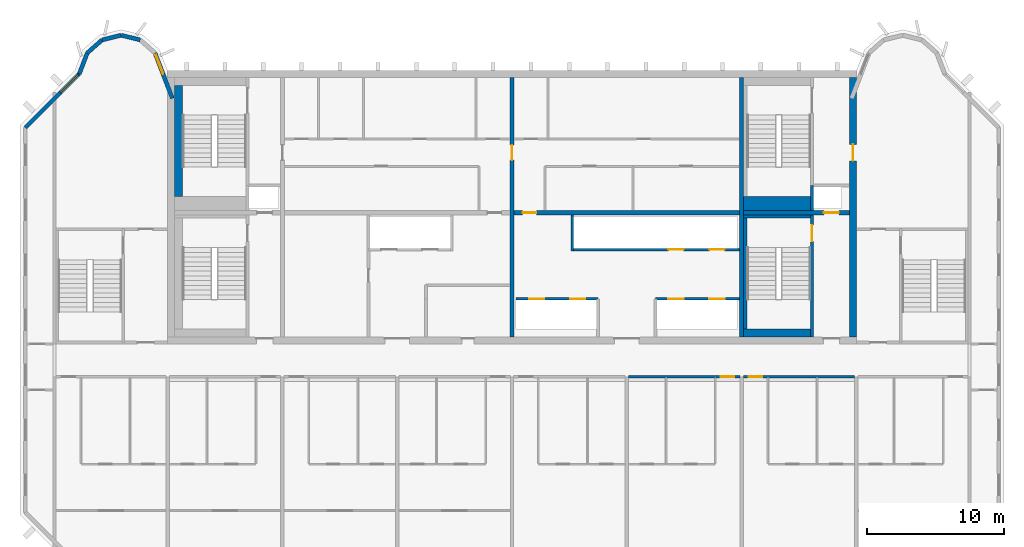
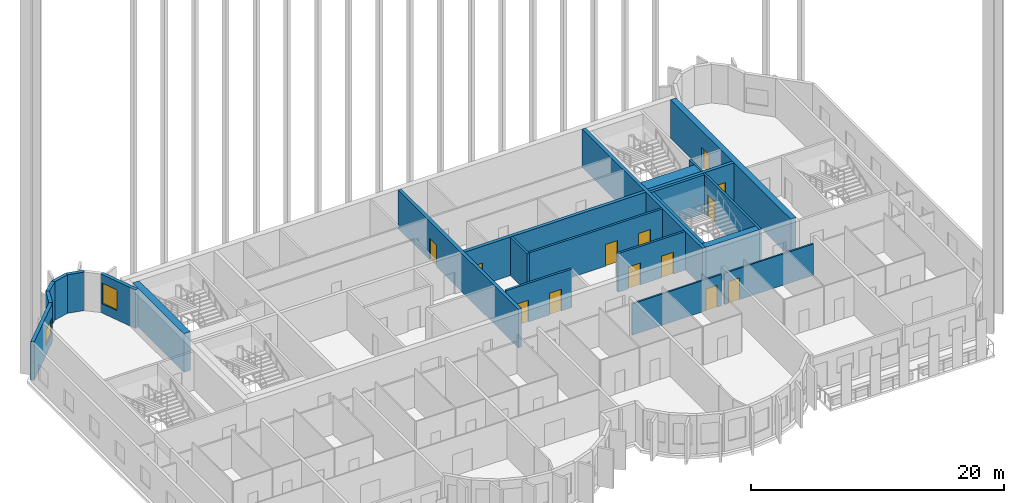
# One storey, part 6 of 13: 24 walls, 13 doors, 2 windows, 15 openings.
"""IFC4 building model written with IfcOpenShell, lengths in metres."""

from ifc_helpers import new_model, si_unit, direction, frame, frame_2d, origin, place, context, subcontext, project, spatial, rectangle, extrude, source, transform, mapped, material, layer, layer_set, type_object, element, fill, save


model = new_model("IFC4")

# Units and contexts
model_context = context("Model", 3, precision=1e-05, world=origin(), true_north=direction((0.0, 1.0)))
body_context = subcontext(model_context, "Body", "Model", "MODEL_VIEW")
ifc_project = project(units=[si_unit("LENGTHUNIT", "METRE"), si_unit("AREAUNIT", "SQUARE_METRE"), si_unit("VOLUMEUNIT", "CUBIC_METRE"), si_unit("PLANEANGLEUNIT", "RADIAN"), si_unit("MASSUNIT", "GRAM", prefix="KILO")], contexts=[model_context])

# Site, building, storey
site_placement = place(None, origin())
site = spatial("IfcSite", under=ifc_project, at=site_placement, CompositionType="ELEMENT")
building_placement = place(site_placement, origin())
building = spatial("IfcBuilding", under=site, at=building_placement, Name="Vanashikhar Sky Hotel", CompositionType="ELEMENT")
storey_placement = place(building_placement, frame((0.0, 0.0, 277.699951171875)))
storey = spatial("IfcBuildingStorey", under=building, at=storey_placement, Name="L66", CompositionType="ELEMENT", Elevation=277.699951171875)

# Wall, opening, door
ifc_material_1 = material(Name="Concrete M50", Category="concrete")
ifc_layer_1 = layer(ifc_material_1, 0.5)
ifc_layer_set_1 = layer_set([ifc_layer_1], Name="RC core shell wall 500 Concrete M50")
wall_type_1 = type_object("IfcWallType", Name="RC core shell wall 500 Concrete M50", PredefinedType="SHEAR", material=ifc_layer_set_1)
shared_shape_1 = source(origin(), body_context, "Body", "SweptSolid", [
    extrude(rectangle(XDim=19.0, YDim=0.5, at=frame_2d((9.5, 0.0))), origin(), (0.0, 0.0, 1.0), 3.719970703125),
])
wall_1_placement = place(storey_placement, frame((75.35009765625, 22.5, 0.0), z_axis=(0.0, 0.0, 1.0), x_axis=(0.0, 1.0, 0.0)))
wall_1 = element("IfcWall", 1, at=wall_1_placement, inside=storey, type_object=wall_type_1, Name="KW-L66-KE", PredefinedType="SHEAR", context=body_context, shape_type="MappedRepresentation", body=[
    mapped(shared_shape_1, transform((0.0, 0.0, 0.0), scale=1.0)),
])
shared_shape_2 = source(origin(), body_context, "Body", "SweptSolid", [
    extrude(rectangle(XDim=1.199951171875, YDim=2.10009765625, at=frame_2d((0.60009765625, 1.050048828125))), frame((0.0, 0.260009765625, 0.0), z_axis=(0.0, -1.0, 0.0), x_axis=(1.0, 0.0, 0.0)), (0.0, 0.0, 1.0), 0.52001953125),
])
opening_1_placement = place(wall_1_placement, frame((12.89990234375, 0.0, 0.0)))
opening_1 = element("IfcOpeningElement", 2, at=opening_1_placement, cuts=wall_1, Name="Opening DC-4-D", PredefinedType="OPENING", context=body_context, shape_type="MappedRepresentation", body=[
    mapped(shared_shape_2, transform((0.0, 0.0, 0.0), scale=1.0)),
])
ifc_material_2 = material(Name="Steel", Category="steel")
door_type_1 = type_object("IfcDoorType", Name="Service door 1200 FD120", OperationType="NOTDEFINED", PredefinedType="DOOR", material=ifc_material_2)
shared_shape_3 = source(origin(), body_context, "Body", "SweptSolid", [
    extrude(rectangle(XDim=1.199951171875, YDim=2.10009765625, at=frame_2d((0.60009765625, 1.050048828125))), frame((0.0, 0.02490234375, 0.0), z_axis=(0.0, -1.0, 0.0), x_axis=(1.0, 0.0, 0.0)), (0.0, 0.0, 1.0), 0.050048828125),
])
door_1_placement = place(opening_1_placement, origin())
door_1 = element("IfcDoor", 3, at=door_1_placement, inside=storey, type_object=door_type_1, Name="Service door 1200 FD120", OperationType="SINGLE_SWING_RIGHT", OverallHeight=2.10009765625, OverallWidth=1.199951171875, PredefinedType="DOOR", context=body_context, shape_type="MappedRepresentation", body=[
    mapped(shared_shape_3, transform((0.0, 0.0, 0.0), scale=1.0)),
])
fill(opening_1, door_1)

ifc_layer_2 = layer(ifc_material_1, 0.300048828125)
ifc_layer_set_2 = layer_set([ifc_layer_2], Name="RC core inner wall 300 Concrete M50")
wall_type_2 = type_object("IfcWallType", Name="RC core inner wall 300 Concrete M50", PredefinedType="SHEAR", material=ifc_layer_set_2)
shared_shape_4 = source(origin(), body_context, "Body", "SweptSolid", [
    extrude(rectangle(XDim=19.0, YDim=0.300048828125, at=frame_2d((9.5, 0.0))), origin(), (0.0, 0.0, 1.0), 3.719970703125),
])
wall_2_placement = place(storey_placement, frame((50.39990234375, 22.5, 0.0), z_axis=(0.0, 0.0, 1.0), x_axis=(0.0, 1.0, 0.0)))
wall_2 = element("IfcWall", 4, at=wall_2_placement, inside=storey, type_object=wall_type_2, Name="KW-L66-KX2", PredefinedType="SHEAR", context=body_context, shape_type="MappedRepresentation", body=[
    mapped(shared_shape_4, transform((0.0, 0.0, 0.0), scale=1.0)),
])
shared_shape_5 = source(origin(), body_context, "Body", "SweptSolid", [
    extrude(rectangle(XDim=1.10009765625, YDim=2.10009765625, at=frame_2d((0.550048828125, 1.050048828125))), frame((0.0, 0.16015625, 0.0), z_axis=(0.0, -1.0, 0.0), x_axis=(1.0, 0.0, 0.0)), (0.0, 0.0, 1.0), 0.320068359375),
])
opening_2_placement = place(wall_2_placement, frame((12.949951171875, 0.0, 0.0)))
opening_2 = element("IfcOpeningElement", 5, at=opening_2_placement, cuts=wall_2, Name="Opening DC-4-C", PredefinedType="OPENING", context=body_context, shape_type="MappedRepresentation", body=[
    mapped(shared_shape_5, transform((0.0, 0.0, 0.0), scale=1.0)),
])
door_type_2 = type_object("IfcDoorType", Name="Service door 1100 FD60", OperationType="NOTDEFINED", PredefinedType="DOOR", material=ifc_material_2)
shared_shape_6 = source(origin(), body_context, "Body", "SweptSolid", [
    extrude(rectangle(XDim=1.10009765625, YDim=2.10009765625, at=frame_2d((0.550048828125, 1.050048828125))), frame((0.0, 0.02490234375, 0.0), z_axis=(0.0, -1.0, 0.0), x_axis=(1.0, 0.0, 0.0)), (0.0, 0.0, 1.0), 0.050048828125),
])
door_2_placement = place(opening_2_placement, origin())
door_2 = element("IfcDoor", 6, at=door_2_placement, inside=storey, type_object=door_type_2, Name="Service door 1100 FD60", OperationType="SINGLE_SWING_RIGHT", OverallHeight=2.10009765625, OverallWidth=1.10009765625, PredefinedType="DOOR", context=body_context, shape_type="MappedRepresentation", body=[
    mapped(shared_shape_6, transform((0.0, 0.0, 0.0), scale=1.0)),
])
fill(opening_2, door_2)

# Wall
wall_3_placement = place(storey_placement, frame((67.199951171875, 22.5, 0.0), z_axis=(0.0, 0.0, 1.0), x_axis=(0.0, 1.0, 0.0)))
element("IfcWall", 7, at=wall_3_placement, inside=storey, type_object=wall_type_2, Name="KW-L66-KX3", PredefinedType="SHEAR", context=body_context, shape_type="MappedRepresentation", body=[
    mapped(shared_shape_4, transform((0.0, 0.0, 0.0), scale=1.0)),
])

# Wall, opening, door
shared_shape_7 = source(origin(), body_context, "Body", "SweptSolid", [
    extrude(rectangle(XDim=7.75, YDim=0.300048828125, at=frame_2d((3.875, 0.0))), origin(), (0.0, 0.0, 1.0), 3.719970703125),
])
wall_4_placement = place(storey_placement, frame((67.35009765625, 31.60009765625, 0.0), z_axis=(0.0, 0.0, 1.0), x_axis=(1.0, 0.0, 0.0)))
wall_4 = element("IfcWall", 8, at=wall_4_placement, inside=storey, type_object=wall_type_2, Name="KW-L66-KY4", PredefinedType="SHEAR", context=body_context, shape_type="MappedRepresentation", body=[
    mapped(shared_shape_7, transform((0.0, 0.0, 0.0), scale=1.0)),
])
opening_3_placement = place(wall_4_placement, frame((5.875, 0.0, 0.0)))
opening_3 = element("IfcOpeningElement", 9, at=opening_3_placement, cuts=wall_4, Name="Opening LD", PredefinedType="OPENING", context=body_context, shape_type="MappedRepresentation", body=[
    mapped(shared_shape_5, transform((0.0, 0.0, 0.0), scale=1.0)),
])
ifc_material_3 = material(Name="Stainless steel", Category="steel")
door_type_3 = type_object("IfcDoorType", Name="Lift landing door 1100", OperationType="NOTDEFINED", PredefinedType="DOOR", material=ifc_material_3)
door_3_placement = place(opening_3_placement, origin())
door_3 = element("IfcDoor", 10, at=door_3_placement, inside=storey, type_object=door_type_3, Name="Lift landing door 1100", OperationType="SLIDING_TO_RIGHT", OverallHeight=2.10009765625, OverallWidth=1.10009765625, PredefinedType="DOOR", context=body_context, shape_type="MappedRepresentation", body=[
    mapped(shared_shape_6, transform((0.0, 0.0, 0.0), scale=1.0)),
])
fill(opening_3, door_3)

shared_shape_8 = source(origin(), body_context, "Body", "SweptSolid", [
    extrude(rectangle(XDim=16.5, YDim=0.300048828125, at=frame_2d((8.25, 0.0))), origin(), (0.0, 0.0, 1.0), 3.719970703125),
])
wall_5_placement = place(storey_placement, frame((50.550048828125, 31.60009765625, 0.0), z_axis=(0.0, 0.0, 1.0), x_axis=(1.0, 0.0, 0.0)))
wall_5 = element("IfcWall", 11, at=wall_5_placement, inside=storey, type_object=wall_type_2, Name="KW-L66-KY3", PredefinedType="SHEAR", context=body_context, shape_type="MappedRepresentation", body=[
    mapped(shared_shape_8, transform((0.0, 0.0, 0.0), scale=1.0)),
])
shared_shape_9 = source(origin(), body_context, "Body", "SweptSolid", [
    extrude(rectangle(XDim=1.0, YDim=2.10009765625, at=frame_2d((0.5, 1.050048828125))), frame((0.0, 0.16015625, 0.0), z_axis=(0.0, -1.0, 0.0), x_axis=(1.0, 0.0, 0.0)), (0.0, 0.0, 1.0), 0.320068359375),
])
opening_4_placement = place(wall_5_placement, frame((0.625, 0.0, 0.0)))
opening_4 = element("IfcOpeningElement", 12, at=opening_4_placement, cuts=wall_5, Name="Opening DC-4", PredefinedType="OPENING", context=body_context, shape_type="MappedRepresentation", body=[
    mapped(shared_shape_9, transform((0.0, 0.0, 0.0), scale=1.0)),
])
door_type_4 = type_object("IfcDoorType", Name="Service door 1000 FD60", OperationType="NOTDEFINED", PredefinedType="DOOR", material=ifc_material_2)
shared_shape_10 = source(origin(), body_context, "Body", "SweptSolid", [
    extrude(rectangle(XDim=1.0, YDim=2.10009765625, at=frame_2d((0.5, 1.050048828125))), frame((0.0, 0.02490234375, 0.0), z_axis=(0.0, -1.0, 0.0), x_axis=(1.0, 0.0, 0.0)), (0.0, 0.0, 1.0), 0.050048828125),
])
door_4_placement = place(opening_4_placement, origin())
door_4 = element("IfcDoor", 13, at=door_4_placement, inside=storey, type_object=door_type_4, Name="Service door 1000 FD60", OperationType="SINGLE_SWING_RIGHT", OverallHeight=2.10009765625, OverallWidth=1.0, PredefinedType="DOOR", context=body_context, shape_type="MappedRepresentation", body=[
    mapped(shared_shape_10, transform((0.0, 0.0, 0.0), scale=1.0)),
])
fill(opening_4, door_4)

# Wall, opening, window
ifc_layer_3 = layer(ifc_material_1, 0.300048828125)
ifc_layer_set_3 = layer_set([ifc_layer_3], Name="Lobe wall 300")
wall_type_3 = type_object("IfcWallType", Name="Lobe wall 300", PredefinedType="SOLIDWALL", material=ifc_layer_set_3)
shared_shape_11 = source(origin(), body_context, "Body", "SweptSolid", [
    extrude(rectangle(XDim=5.576416015625, YDim=0.300048828125, at=frame_2d((2.7880859375, 0.0))), origin(), (0.0, 0.0, 1.0), 3.719970703125),
])
wall_6_placement = place(storey_placement, frame((18.7431640625, 41.77734375, 0.0), z_axis=(0.0, 0.0, 1.0), x_axis=(-0.707106781187, -0.707106781187, 0.0)))
wall_6 = element("IfcWall", 14, at=wall_6_placement, inside=storey, type_object=wall_type_3, Name="Corner wall", PredefinedType="SOLIDWALL", context=body_context, shape_type="MappedRepresentation", body=[
    mapped(shared_shape_11, transform((0.0, 0.0, 0.0), scale=1.0)),
])
shared_shape_12 = source(origin(), body_context, "Body", "SweptSolid", [
    extrude(rectangle(XDim=1.800048828125, YDim=1.5, at=frame_2d((0.89990234375, 0.75))), frame((0.0, 0.16015625, 0.0), z_axis=(0.0, -1.0, 0.0), x_axis=(1.0, 0.0, 0.0)), (0.0, 0.0, 1.0), 0.320068359375),
])
opening_5_placement = place(wall_6_placement, frame((0.135498046875, 0.0, 0.89990234375)))
opening_5 = element("IfcOpeningElement", 15, at=opening_5_placement, cuts=wall_6, Name="Opening WN-4", PredefinedType="OPENING", context=body_context, shape_type="MappedRepresentation", body=[
    mapped(shared_shape_12, transform((0.0, 0.0, 0.0), scale=1.0)),
])
ifc_material_4 = material(Name="Glass", Category="glass")
window_type_1 = type_object("IfcWindowType", Name="Corner window 1800 x 1500", PartitioningType="SINGLE_PANEL", PredefinedType="WINDOW", material=ifc_material_4)
shared_shape_13 = source(origin(), body_context, "Body", "SweptSolid", [
    extrude(rectangle(XDim=1.800048828125, YDim=1.5, at=frame_2d((0.89990234375, 0.75))), frame((0.0, 0.030029296875, 0.0), z_axis=(0.0, -1.0, 0.0), x_axis=(1.0, 0.0, 0.0)), (0.0, 0.0, 1.0), 0.06005859375),
])
window_1_placement = place(opening_5_placement, origin())
window_1 = element("IfcWindow", 16, at=window_1_placement, inside=storey, type_object=window_type_1, Name="Window WN-4", OverallHeight=1.5, OverallWidth=1.800048828125, PartitioningType="SINGLE_PANEL", PredefinedType="WINDOW", context=body_context, shape_type="MappedRepresentation", body=[
    mapped(shared_shape_13, transform((0.0, 0.0, 0.0), scale=1.0)),
])
fill(opening_5, window_1)

# Walls
shared_shape_14 = source(origin(), body_context, "Body", "SweptSolid", [
    extrude(rectangle(XDim=1.6220703125, YDim=0.300048828125, at=frame_2d((0.81103515625, 0.0))), origin(), (0.0, 0.0, 1.0), 3.719970703125),
])
wall_7_placement = place(storey_placement, frame((19.323486328125, 43.2919921875, 0.0), z_axis=(0.0, 0.0, 1.0), x_axis=(-0.357778527068, -0.933806471154, 0.0)))
element("IfcWall", 17, at=wall_7_placement, inside=storey, type_object=wall_type_3, Name="Lobe wall", PredefinedType="SOLIDWALL", context=body_context, shape_type="MappedRepresentation", body=[
    mapped(shared_shape_14, transform((0.0, 0.0, 0.0), scale=1.0)),
])
shared_shape_15 = source(origin(), body_context, "Body", "SweptSolid", [
    extrude(rectangle(XDim=1.43994140625, YDim=0.300048828125, at=frame_2d((0.719970703125, 0.0))), origin(), (0.0, 0.0, 1.0), 3.719970703125),
])
wall_8_placement = place(storey_placement, frame((20.40283203125, 44.2451171875, 0.0), z_axis=(0.0, 0.0, 1.0), x_axis=(-0.74957555648, -0.661918790432, 0.0)))
element("IfcWall", 18, at=wall_8_placement, inside=storey, type_object=wall_type_3, Name="Lobe wall", PredefinedType="SOLIDWALL", context=body_context, shape_type="MappedRepresentation", body=[
    mapped(shared_shape_15, transform((0.0, 0.0, 0.0), scale=1.0)),
])
shared_shape_16 = source(origin(), body_context, "Body", "SweptSolid", [
    extrude(rectangle(XDim=1.438720703125, YDim=0.300048828125, at=frame_2d((0.71923828125, 0.0))), origin(), (0.0, 0.0, 1.0), 3.719970703125),
])
wall_9_placement = place(storey_placement, frame((21.800048828125, 44.588134765625, 0.0), z_axis=(0.0, 0.0, 1.0), x_axis=(-0.971161932466, -0.238420848351, 0.0)))
element("IfcWall", 19, at=wall_9_placement, inside=storey, type_object=wall_type_3, Name="Lobe wall", PredefinedType="SOLIDWALL", context=body_context, shape_type="MappedRepresentation", body=[
    mapped(shared_shape_16, transform((0.0, 0.0, 0.0), scale=1.0)),
])

# Wall, opening, window
shared_shape_17 = source(origin(), body_context, "Body", "SweptSolid", [
    extrude(rectangle(XDim=3.55908203125, YDim=0.300048828125, at=frame_2d((1.779541015625, 0.0))), origin(), (0.0, 0.0, 1.0), 3.719970703125),
])
wall_10_placement = place(storey_placement, frame((25.550048828125, 39.968505859375, 0.0), z_axis=(0.0, 0.0, 1.0), x_axis=(-0.35779745313, 0.933799219604, 0.0)))
wall_10 = element("IfcWall", 20, at=wall_10_placement, inside=storey, type_object=wall_type_3, Name="Lobe wall", PredefinedType="SOLIDWALL", context=body_context, shape_type="MappedRepresentation", body=[
    mapped(shared_shape_17, transform((0.0, 0.0, 0.0), scale=1.0)),
])
shared_shape_18 = source(origin(), body_context, "Body", "SweptSolid", [
    extrude(rectangle(XDim=1.5, YDim=2.0, at=frame_2d((0.75, 1.0))), frame((0.0, 0.16015625, 0.0), z_axis=(0.0, -1.0, 0.0), x_axis=(1.0, 0.0, 0.0)), (0.0, 0.0, 1.0), 0.320068359375),
])
opening_6_placement = place(wall_10_placement, frame((1.9033203125, 0.0, 0.89990234375)))
opening_6 = element("IfcOpeningElement", 21, at=opening_6_placement, cuts=wall_10, Name="Opening WN-2", PredefinedType="OPENING", context=body_context, shape_type="MappedRepresentation", body=[
    mapped(shared_shape_18, transform((0.0, 0.0, 0.0), scale=1.0)),
])
window_type_2 = type_object("IfcWindowType", Name="Lobe window 1500 x 2000", PartitioningType="SINGLE_PANEL", PredefinedType="WINDOW", material=ifc_material_4)
shared_shape_19 = source(origin(), body_context, "Body", "SweptSolid", [
    extrude(rectangle(XDim=1.5, YDim=2.0, at=frame_2d((0.75, 1.0))), frame((0.0, 0.030029296875, 0.0), z_axis=(0.0, -1.0, 0.0), x_axis=(1.0, 0.0, 0.0)), (0.0, 0.0, 1.0), 0.06005859375),
])
window_2_placement = place(opening_6_placement, origin())
window_2 = element("IfcWindow", 22, at=window_2_placement, inside=storey, type_object=window_type_2, Name="Window WN-2", OverallHeight=2.0, OverallWidth=1.5, PartitioningType="SINGLE_PANEL", PredefinedType="WINDOW", context=body_context, shape_type="MappedRepresentation", body=[
    mapped(shared_shape_19, transform((0.0, 0.0, 0.0), scale=1.0)),
])
fill(opening_6, window_2)

# Wall
shared_shape_20 = source(origin(), body_context, "Body", "SweptSolid", [
    extrude(rectangle(XDim=1.4384765625, YDim=0.300048828125, at=frame_2d((0.71923828125, 0.0))), origin(), (0.0, 0.0, 1.0), 3.719970703125),
])
wall_11_placement = place(storey_placement, frame((23.197021484375, 44.2451171875, 0.0), z_axis=(0.0, 0.0, 1.0), x_axis=(-0.971152283879, 0.238460146601, 0.0)))
element("IfcWall", 23, at=wall_11_placement, inside=storey, type_object=wall_type_3, Name="Lobe wall", PredefinedType="SOLIDWALL", context=body_context, shape_type="MappedRepresentation", body=[
    mapped(shared_shape_20, transform((0.0, 0.0, 0.0), scale=1.0)),
])

# Wall, openings, doors
ifc_material_5 = material(Name="Concrete M40", Category="concrete")
ifc_layer_4 = layer(ifc_material_5, 0.199951171875)
ifc_layer_set_4 = layer_set([ifc_layer_4], Name="Shaft wall 200")
wall_type_4 = type_object("IfcWallType", Name="Shaft wall 200", PredefinedType="SOLIDWALL", material=ifc_layer_set_4)
shared_shape_21 = source(origin(), body_context, "Body", "SweptSolid", [
    extrude(rectangle(XDim=6.0, YDim=0.199951171875, at=frame_2d((3.0, 0.0))), origin(), (0.0, 0.0, 1.0), 3.719970703125),
])
wall_12_placement = place(storey_placement, frame((56.699951171875, 25.300048828125, 0.0), z_axis=(0.0, 0.0, 1.0), x_axis=(-1.0, 0.0, 0.0)))
wall_12 = element("IfcWall", 24, at=wall_12_placement, inside=storey, type_object=wall_type_4, Name="Shaft wall 200", PredefinedType="SOLIDWALL", context=body_context, shape_type="MappedRepresentation", body=[
    mapped(shared_shape_21, transform((0.0, 0.0, 0.0), scale=1.0)),
])
shared_shape_22 = source(origin(), body_context, "Body", "SweptSolid", [
    extrude(rectangle(XDim=1.10009765625, YDim=2.10009765625, at=frame_2d((0.550048828125, 1.050048828125))), frame((0.0, 0.10986328125, 0.0), z_axis=(0.0, -1.0, 0.0), x_axis=(1.0, 0.0, 0.0)), (0.0, 0.0, 1.0), 0.219970703125),
])
opening_7_placement = place(wall_12_placement, frame((0.949951171875, 0.0, 0.0)))
opening_7 = element("IfcOpeningElement", 25, at=opening_7_placement, cuts=wall_12, Name="Opening LD", PredefinedType="OPENING", context=body_context, shape_type="MappedRepresentation", body=[
    mapped(shared_shape_22, transform((0.0, 0.0, 0.0), scale=1.0)),
])
opening_8_placement = place(wall_12_placement, frame((3.949951171875, 0.0, 0.0)))
opening_8 = element("IfcOpeningElement", 26, at=opening_8_placement, cuts=wall_12, Name="Opening LD", PredefinedType="OPENING", context=body_context, shape_type="MappedRepresentation", body=[
    mapped(shared_shape_22, transform((0.0, 0.0, 0.0), scale=1.0)),
])
door_5_placement = place(opening_7_placement, origin())
door_5 = element("IfcDoor", 27, at=door_5_placement, inside=storey, type_object=door_type_3, Name="Lift landing door 1100", OperationType="SLIDING_TO_RIGHT", OverallHeight=2.10009765625, OverallWidth=1.10009765625, PredefinedType="DOOR", context=body_context, shape_type="MappedRepresentation", body=[
    mapped(shared_shape_6, transform((0.0, 0.0, 0.0), scale=1.0)),
])
fill(opening_7, door_5)
door_6_placement = place(opening_8_placement, origin())
door_6 = element("IfcDoor", 28, at=door_6_placement, inside=storey, type_object=door_type_3, Name="Lift landing door 1100", OperationType="SLIDING_TO_LEFT", OverallHeight=2.10009765625, OverallWidth=1.10009765625, PredefinedType="DOOR", context=body_context, shape_type="MappedRepresentation", body=[
    mapped(shared_shape_6, transform((0.0, 0.0, 0.0), scale=1.0)),
])
fill(opening_8, door_6)

# Wall
shared_shape_23 = source(origin(), body_context, "Body", "SweptSolid", [
    extrude(rectangle(XDim=2.64990234375, YDim=0.199951171875, at=frame_2d((1.324951171875, 0.0))), origin(), (0.0, 0.0, 1.0), 3.719970703125),
])
wall_13_placement = place(storey_placement, frame((54.800048828125, 28.800048828125, 0.0), z_axis=(0.0, 0.0, 1.0), x_axis=(0.0, 1.0, 0.0)))
element("IfcWall", 29, at=wall_13_placement, inside=storey, type_object=wall_type_4, Name="Shaft wall 200", PredefinedType="SOLIDWALL", context=body_context, shape_type="MappedRepresentation", body=[
    mapped(shared_shape_23, transform((0.0, 0.0, 0.0), scale=1.0)),
])

# Wall, openings, doors
shared_shape_24 = source(origin(), body_context, "Body", "SweptSolid", [
    extrude(rectangle(XDim=6.150146484375, YDim=0.199951171875, at=frame_2d((3.0751953125, 0.0))), origin(), (0.0, 0.0, 1.0), 3.719970703125),
])
wall_14_placement = place(storey_placement, frame((67.050048828125, 25.300048828125, 0.0), z_axis=(0.0, 0.0, 1.0), x_axis=(-1.0, 0.0, 0.0)))
wall_14 = element("IfcWall", 30, at=wall_14_placement, inside=storey, type_object=wall_type_4, Name="Shaft wall 200", PredefinedType="SOLIDWALL", context=body_context, shape_type="MappedRepresentation", body=[
    mapped(shared_shape_24, transform((0.0, 0.0, 0.0), scale=1.0)),
])
opening_9_placement = place(wall_14_placement, frame((1.10009765625, 0.0, 0.0)))
opening_9 = element("IfcOpeningElement", 31, at=opening_9_placement, cuts=wall_14, Name="Opening LD", PredefinedType="OPENING", context=body_context, shape_type="MappedRepresentation", body=[
    mapped(shared_shape_22, transform((0.0, 0.0, 0.0), scale=1.0)),
])
opening_10_placement = place(wall_14_placement, frame((4.10009765625, 0.0, 0.0)))
opening_10 = element("IfcOpeningElement", 32, at=opening_10_placement, cuts=wall_14, Name="Opening LD", PredefinedType="OPENING", context=body_context, shape_type="MappedRepresentation", body=[
    mapped(shared_shape_22, transform((0.0, 0.0, 0.0), scale=1.0)),
])
door_7_placement = place(opening_9_placement, origin())
door_7 = element("IfcDoor", 33, at=door_7_placement, inside=storey, type_object=door_type_3, Name="Lift landing door 1100", OperationType="SLIDING_TO_RIGHT", OverallHeight=2.10009765625, OverallWidth=1.10009765625, PredefinedType="DOOR", context=body_context, shape_type="MappedRepresentation", body=[
    mapped(shared_shape_6, transform((0.0, 0.0, 0.0), scale=1.0)),
])
fill(opening_9, door_7)
door_8_placement = place(opening_10_placement, origin())
door_8 = element("IfcDoor", 34, at=door_8_placement, inside=storey, type_object=door_type_3, Name="Lift landing door 1100", OperationType="SLIDING_TO_LEFT", OverallHeight=2.10009765625, OverallWidth=1.10009765625, PredefinedType="DOOR", context=body_context, shape_type="MappedRepresentation", body=[
    mapped(shared_shape_6, transform((0.0, 0.0, 0.0), scale=1.0)),
])
fill(opening_10, door_8)

shared_shape_25 = source(origin(), body_context, "Body", "SweptSolid", [
    extrude(rectangle(XDim=12.150146484375, YDim=0.199951171875, at=frame_2d((6.0751953125, 0.0))), origin(), (0.0, 0.0, 1.0), 3.719970703125),
])
wall_15_placement = place(storey_placement, frame((67.050048828125, 28.89990234375, 0.0), z_axis=(0.0, 0.0, 1.0), x_axis=(-1.0, 0.0, 0.0)))
wall_15 = element("IfcWall", 35, at=wall_15_placement, inside=storey, type_object=wall_type_4, Name="Shaft wall 200", PredefinedType="SOLIDWALL", context=body_context, shape_type="MappedRepresentation", body=[
    mapped(shared_shape_25, transform((0.0, 0.0, 0.0), scale=1.0)),
])
opening_11_placement = place(wall_15_placement, frame((1.10009765625, 0.0, 0.0)))
opening_11 = element("IfcOpeningElement", 36, at=opening_11_placement, cuts=wall_15, Name="Opening LD", PredefinedType="OPENING", context=body_context, shape_type="MappedRepresentation", body=[
    mapped(shared_shape_22, transform((0.0, 0.0, 0.0), scale=1.0)),
])
opening_12_placement = place(wall_15_placement, frame((4.10009765625, 0.0, 0.0)))
opening_12 = element("IfcOpeningElement", 37, at=opening_12_placement, cuts=wall_15, Name="Opening LD", PredefinedType="OPENING", context=body_context, shape_type="MappedRepresentation", body=[
    mapped(shared_shape_22, transform((0.0, 0.0, 0.0), scale=1.0)),
])
door_9_placement = place(opening_11_placement, origin())
door_9 = element("IfcDoor", 38, at=door_9_placement, inside=storey, type_object=door_type_3, Name="Lift landing door 1100", OperationType="SLIDING_TO_RIGHT", OverallHeight=2.10009765625, OverallWidth=1.10009765625, PredefinedType="DOOR", context=body_context, shape_type="MappedRepresentation", body=[
    mapped(shared_shape_6, transform((0.0, 0.0, 0.0), scale=1.0)),
])
fill(opening_11, door_9)
door_10_placement = place(opening_12_placement, origin())
door_10 = element("IfcDoor", 39, at=door_10_placement, inside=storey, type_object=door_type_3, Name="Lift landing door 1100", OperationType="SLIDING_TO_LEFT", OverallHeight=2.10009765625, OverallWidth=1.10009765625, PredefinedType="DOOR", context=body_context, shape_type="MappedRepresentation", body=[
    mapped(shared_shape_6, transform((0.0, 0.0, 0.0), scale=1.0)),
])
fill(opening_12, door_10)

# Wall, opening, door
ifc_layer_5 = layer(ifc_material_1, 0.199951171875)
ifc_layer_set_5 = layer_set([ifc_layer_5], Name="Stair wall 200")
wall_type_5 = type_object("IfcWallType", Name="Stair wall 200", PredefinedType="SOLIDWALL", material=ifc_layer_set_5)
shared_shape_26 = source(origin(), body_context, "Body", "SweptSolid", [
    extrude(rectangle(XDim=8.949951171875, YDim=0.199951171875, at=frame_2d((4.47509765625, 0.0))), origin(), (0.0, 0.0, 1.0), 3.719970703125),
])
wall_16_placement = place(storey_placement, frame((72.35009765625, 22.5, 0.0), z_axis=(0.0, 0.0, 1.0), x_axis=(0.0, 1.0, 0.0)))
wall_16 = element("IfcWall", 40, at=wall_16_placement, inside=storey, type_object=wall_type_5, Name="Stair wall 200", PredefinedType="SOLIDWALL", context=body_context, shape_type="MappedRepresentation", body=[
    mapped(shared_shape_26, transform((0.0, 0.0, 0.0), scale=1.0)),
])
shared_shape_27 = source(origin(), body_context, "Body", "SweptSolid", [
    extrude(rectangle(XDim=1.199951171875, YDim=2.10009765625, at=frame_2d((0.60009765625, 1.050048828125))), frame((0.0, 0.10986328125, 0.0), z_axis=(0.0, -1.0, 0.0), x_axis=(1.0, 0.0, 0.0)), (0.0, 0.0, 1.0), 0.219970703125),
])
opening_13_placement = place(wall_16_placement, frame((7.0, 0.0, 0.0)))
opening_13 = element("IfcOpeningElement", 41, at=opening_13_placement, cuts=wall_16, Name="Opening DC-1", PredefinedType="OPENING", context=body_context, shape_type="MappedRepresentation", body=[
    mapped(shared_shape_27, transform((0.0, 0.0, 0.0), scale=1.0)),
])
door_type_5 = type_object("IfcDoorType", Name="Stair door 1200 FD120", OperationType="NOTDEFINED", PredefinedType="DOOR", material=ifc_material_2)
door_11_placement = place(opening_13_placement, origin())
door_11 = element("IfcDoor", 42, at=door_11_placement, inside=storey, type_object=door_type_5, Name="Stair door 1200 FD120", OperationType="SINGLE_SWING_LEFT", OverallHeight=2.10009765625, OverallWidth=1.199951171875, PredefinedType="DOOR", context=body_context, shape_type="MappedRepresentation", body=[
    mapped(shared_shape_3, transform((0.0, 0.0, 0.0), scale=1.0)),
])
fill(opening_13, door_11)

# Walls
shared_shape_28 = source(origin(), body_context, "Body", "SweptSolid", [
    extrude(rectangle(XDim=1.85009765625, YDim=0.199951171875, at=frame_2d((0.925048828125, 0.0))), origin(), (0.0, 0.0, 1.0), 3.719970703125),
])
wall_17_placement = place(storey_placement, frame((72.35009765625, 31.75, 0.0), z_axis=(0.0, 0.0, 1.0), x_axis=(0.0, 1.0, 0.0)))
element("IfcWall", 43, at=wall_17_placement, inside=storey, type_object=wall_type_4, Name="Shaft wall 200", PredefinedType="SOLIDWALL", context=body_context, shape_type="MappedRepresentation", body=[
    mapped(shared_shape_28, transform((0.0, 0.0, 0.0), scale=1.0)),
])
ifc_layer_6 = layer(ifc_material_1, 0.60009765625)
ifc_layer_set_6 = layer_set([ifc_layer_6], Name="Stair infill wall 600")
wall_type_6 = type_object("IfcWallType", Name="Stair infill wall 600", PredefinedType="SOLIDWALL", material=ifc_layer_set_6)
shared_shape_29 = source(origin(), body_context, "Body", "SweptSolid", [
    extrude(rectangle(XDim=8.099853515625, YDim=0.60009765625, at=frame_2d((4.0498046875, 0.0))), origin(), (0.0, 0.0, 1.0), 3.719970703125),
])
wall_18_placement = place(storey_placement, frame((26.0, 32.800048828125, 0.0), z_axis=(0.0, 0.0, 1.0), x_axis=(0.0, 1.0, 0.0)))
element("IfcWall", 44, at=wall_18_placement, inside=storey, type_object=wall_type_6, Name="Stair infill wall 600", PredefinedType="SOLIDWALL", context=body_context, shape_type="MappedRepresentation", body=[
    mapped(shared_shape_29, transform((0.0, 0.0, 0.0), scale=1.0)),
])
shared_shape_30 = source(origin(), body_context, "Body", "SweptSolid", [
    extrude(rectangle(XDim=4.89990234375, YDim=0.60009765625, at=frame_2d((2.449951171875, 0.0))), origin(), (0.0, 0.0, 1.0), 3.719970703125),
])
wall_19_placement = place(storey_placement, frame((67.35009765625, 22.800048828125, 0.0), z_axis=(0.0, 0.0, 1.0), x_axis=(1.0, 0.0, 0.0)))
element("IfcWall", 45, at=wall_19_placement, inside=storey, type_object=wall_type_6, Name="Stair infill wall 600", PredefinedType="SOLIDWALL", context=body_context, shape_type="MappedRepresentation", body=[
    mapped(shared_shape_30, transform((0.0, 0.0, 0.0), scale=1.0)),
])
ifc_layer_7 = layer(ifc_material_1, 0.25)
ifc_layer_set_7 = layer_set([ifc_layer_7], Name="Stair infill wall 250")
wall_type_7 = type_object("IfcWallType", Name="Stair infill wall 250", PredefinedType="SOLIDWALL", material=ifc_layer_set_7)
shared_shape_31 = source(origin(), body_context, "Body", "SweptSolid", [
    extrude(rectangle(XDim=4.89990234375, YDim=0.25, at=frame_2d((2.449951171875, 0.0))), origin(), (0.0, 0.0, 1.0), 3.719970703125),
])
wall_20_placement = place(storey_placement, frame((67.35009765625, 31.324951171875, 0.0), z_axis=(0.0, 0.0, 1.0), x_axis=(1.0, 0.0, 0.0)))
element("IfcWall", 46, at=wall_20_placement, inside=storey, type_object=wall_type_7, Name="Stair infill wall 250", PredefinedType="SOLIDWALL", context=body_context, shape_type="MappedRepresentation", body=[
    mapped(shared_shape_31, transform((0.0, 0.0, 0.0), scale=1.0)),
])
shared_shape_32 = source(origin(), body_context, "Body", "SweptSolid", [
    extrude(rectangle(XDim=8.099853515625, YDim=0.25, at=frame_2d((4.0498046875, 0.0))), origin(), (0.0, 0.0, 1.0), 3.719970703125),
])
wall_21_placement = place(storey_placement, frame((67.47509765625, 23.10009765625, 0.0), z_axis=(0.0, 0.0, 1.0), x_axis=(0.0, 1.0, 0.0)))
element("IfcWall", 47, at=wall_21_placement, inside=storey, type_object=wall_type_7, Name="Stair infill wall 250", PredefinedType="SOLIDWALL", context=body_context, shape_type="MappedRepresentation", body=[
    mapped(shared_shape_32, transform((0.0, 0.0, 0.0), scale=1.0)),
])
ifc_layer_8 = layer(ifc_material_1, 1.050048828125)
ifc_layer_set_8 = layer_set([ifc_layer_8], Name="Stair infill wall 1050")
wall_type_8 = type_object("IfcWallType", Name="Stair infill wall 1050", PredefinedType="SOLIDWALL", material=ifc_layer_set_8)
shared_shape_33 = source(origin(), body_context, "Body", "SweptSolid", [
    extrude(rectangle(XDim=4.89990234375, YDim=1.050048828125, at=frame_2d((2.449951171875, 0.0))), origin(), (0.0, 0.0, 1.0), 3.719970703125),
])
wall_22_placement = place(storey_placement, frame((67.35009765625, 32.27490234375, 0.0), z_axis=(0.0, 0.0, 1.0), x_axis=(1.0, 0.0, 0.0)))
element("IfcWall", 48, at=wall_22_placement, inside=storey, type_object=wall_type_8, Name="Stair infill wall 1050", PredefinedType="SOLIDWALL", context=body_context, shape_type="MappedRepresentation", body=[
    mapped(shared_shape_33, transform((0.0, 0.0, 0.0), scale=1.0)),
])

# Wall, opening, door
ifc_material_6 = material(Name="Gypsum plasterboard partition")
ifc_layer_9 = layer(ifc_material_6, 0.14990234375)
ifc_layer_set_9 = layer_set([ifc_layer_9], Name="Corridor and demising partition 150")
wall_type_9 = type_object("IfcWallType", Name="Corridor and demising partition 150", PredefinedType="PARTITIONING", material=ifc_layer_set_9)
shared_shape_34 = source(origin(), body_context, "Body", "SweptSolid", [
    extrude(rectangle(XDim=8.150146484375, YDim=0.14990234375, at=frame_2d((4.0751953125, 0.0))), origin(), (0.0, 0.0, 1.0), 3.02001953125),
])
wall_23_placement = place(storey_placement, frame((67.324951171875, 19.60009765625, 0.0), z_axis=(0.0, 0.0, 1.0), x_axis=(1.0, 0.0, 0.0)))
wall_23 = element("IfcWall", 49, at=wall_23_placement, inside=storey, type_object=wall_type_9, Name="W-L66-PW039", PredefinedType="PARTITIONING", context=body_context, shape_type="MappedRepresentation", body=[
    mapped(shared_shape_34, transform((0.0, 0.0, 0.0), scale=1.0)),
])
shared_shape_35 = source(origin(), body_context, "Body", "SweptSolid", [
    extrude(rectangle(XDim=1.0, YDim=2.10009765625, at=frame_2d((0.5, 1.050048828125))), frame((0.0, 0.0849609375, 0.0), z_axis=(0.0, -1.0, 0.0), x_axis=(1.0, 0.0, 0.0)), (0.0, 0.0, 1.0), 0.169921875),
])
opening_14_placement = place(wall_23_placement, frame((0.39990234375, 0.0, 0.0)))
opening_14 = element("IfcOpeningElement", 50, at=opening_14_placement, cuts=wall_23, Name="Opening D-01", PredefinedType="OPENING", context=body_context, shape_type="MappedRepresentation", body=[
    mapped(shared_shape_35, transform((0.0, 0.0, 0.0), scale=1.0)),
])
ifc_material_7 = material(Name="Timber fire door", Category="wood")
door_type_6 = type_object("IfcDoorType", Name="Guest entry door 1000 FD30S", OperationType="NOTDEFINED", PredefinedType="DOOR", material=ifc_material_7)
door_12_placement = place(opening_14_placement, origin())
door_12 = element("IfcDoor", 51, at=door_12_placement, inside=storey, type_object=door_type_6, Name="D-L66-025", OperationType="SINGLE_SWING_LEFT", OverallHeight=2.10009765625, OverallWidth=1.0, PredefinedType="DOOR", context=body_context, shape_type="MappedRepresentation", body=[
    mapped(shared_shape_10, transform((0.0, 0.0, 0.0), scale=1.0)),
])
fill(opening_14, door_12)

shared_shape_36 = source(origin(), body_context, "Body", "SweptSolid", [
    extrude(rectangle(XDim=8.14990234375, YDim=0.14990234375, at=frame_2d((4.074951171875, 0.0))), origin(), (0.0, 0.0, 1.0), 3.02001953125),
])
wall_24_placement = place(storey_placement, frame((58.925048828125, 19.60009765625, 0.0), z_axis=(0.0, 0.0, 1.0), x_axis=(1.0, 0.0, 0.0)))
wall_24 = element("IfcWall", 52, at=wall_24_placement, inside=storey, type_object=wall_type_9, Name="W-L66-PW034", PredefinedType="PARTITIONING", context=body_context, shape_type="MappedRepresentation", body=[
    mapped(shared_shape_36, transform((0.0, 0.0, 0.0), scale=1.0)),
])
opening_15_placement = place(wall_24_placement, frame((6.75, 0.0, 0.0)))
opening_15 = element("IfcOpeningElement", 53, at=opening_15_placement, cuts=wall_24, Name="Opening D-01", PredefinedType="OPENING", context=body_context, shape_type="MappedRepresentation", body=[
    mapped(shared_shape_35, transform((0.0, 0.0, 0.0), scale=1.0)),
])
door_13_placement = place(opening_15_placement, origin())
door_13 = element("IfcDoor", 54, at=door_13_placement, inside=storey, type_object=door_type_6, Name="D-L66-022", OperationType="SINGLE_SWING_RIGHT", OverallHeight=2.10009765625, OverallWidth=1.0, PredefinedType="DOOR", context=body_context, shape_type="MappedRepresentation", body=[
    mapped(shared_shape_10, transform((0.0, 0.0, 0.0), scale=1.0)),
])
fill(opening_15, door_13)

save(model, "model.ifc")
